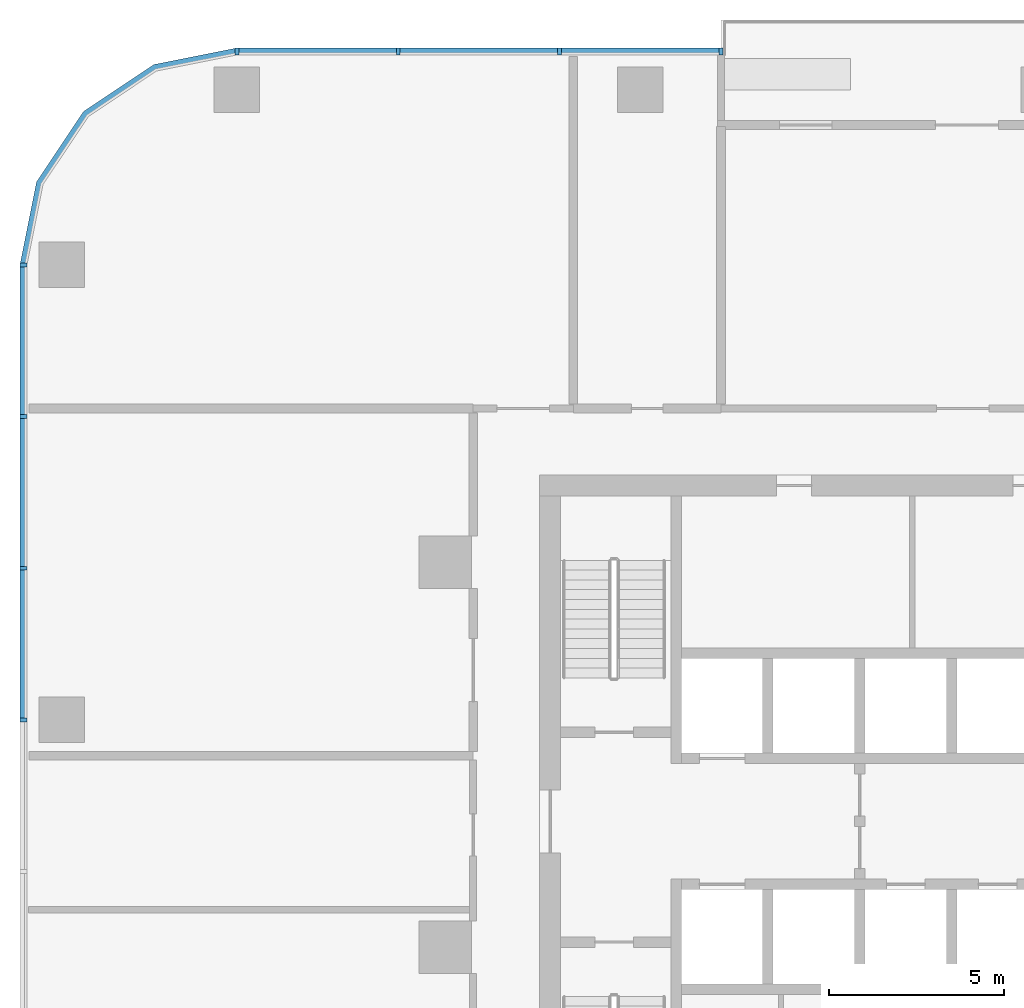
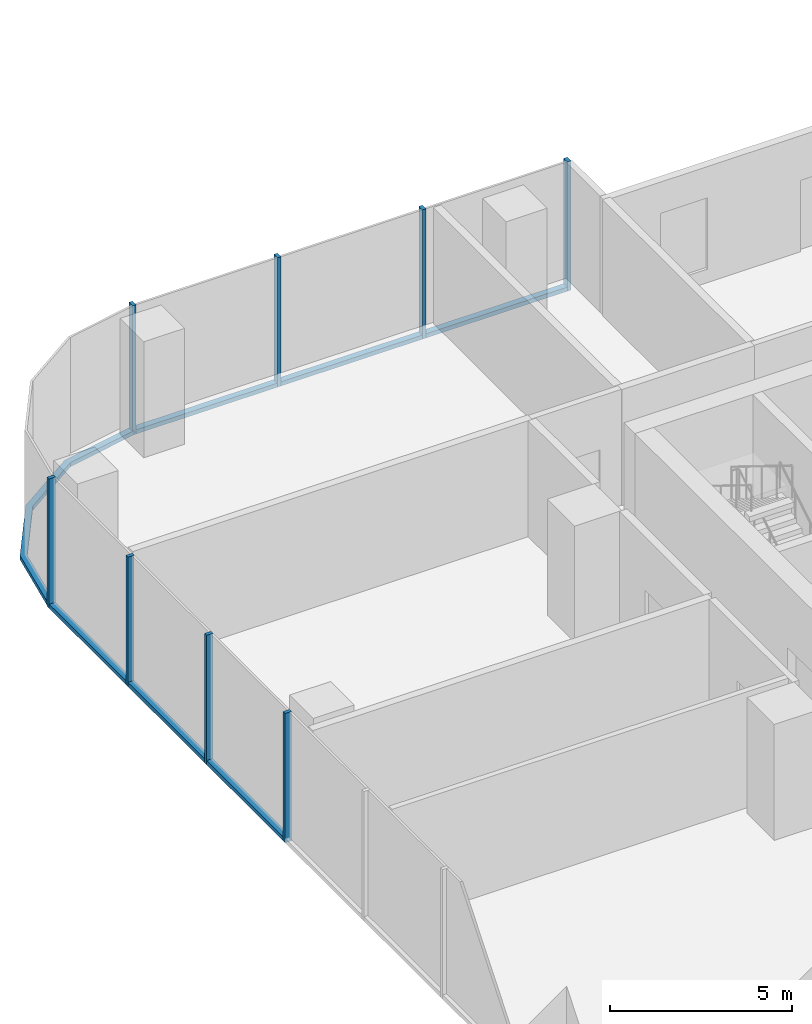
# One storey, part 4 of 14: 15 members, 3 elements without a shape of their own.
"""IFC4 building model written with IfcOpenShell, lengths in metres."""

from ifc_helpers import new_model, si_unit, direction, frame, origin, origin_2d, place, context, subcontext, project, spatial, polyline, rectangle, outline, extrude, material, material_profile, profile_set, type_object, element, aggregate, save


model = new_model("IFC4")

# Units and contexts
model_context = context("Model", 3, precision=1e-05, world=origin(), true_north=direction((0.0, 1.0)))
body_context = subcontext(model_context, "Body", "Model", "MODEL_VIEW")
ifc_project = project(units=[si_unit("LENGTHUNIT", "METRE"), si_unit("AREAUNIT", "SQUARE_METRE"), si_unit("VOLUMEUNIT", "CUBIC_METRE"), si_unit("PLANEANGLEUNIT", "RADIAN"), si_unit("MASSUNIT", "GRAM", prefix="KILO")], contexts=[model_context])

# Site, building, storey
site_placement = place(None, origin())
site = spatial("IfcSite", under=ifc_project, at=site_placement, CompositionType="ELEMENT")
building_placement = place(site_placement, origin())
building = spatial("IfcBuilding", under=site, at=building_placement, Name="Mopane Tessera Tower", CompositionType="ELEMENT")
storey_placement = place(building_placement, frame((0.0, 0.0, 144.10009765625)))
storey = spatial("IfcBuildingStorey", under=building, at=storey_placement, Name="L29", CompositionType="ELEMENT", Elevation=144.10009765625)

# Curtain wall, members
ifc_material_1 = material(Name="Aluminium frame", Category="aluminium")
curtain_wall_type = type_object("IfcCurtainWallType", Name="Lower tower unitised wall", PredefinedType="NOTDEFINED", material=ifc_material_1)
curtain_wall_1_placement = place(storey_placement, origin())
curtain_wall_1 = element("IfcCurtainWall", 1, at=curtain_wall_1_placement, inside=storey, type_object=curtain_wall_type, Name="e:cw:L29:N:7", PredefinedType="NOTDEFINED")
ifc_material_2 = material(Name="Aluminium frame", Category="aluminium")
ifc_material_profile_1 = material_profile(ifc_material_2, rectangle(XDim=0.110107421875, YDim=0.199951171875, at=origin_2d()))
ifc_profile_set_1 = profile_set([ifc_material_profile_1], Name="Aluminium frame")
member_type_1 = type_object("IfcMemberType", Name="Aluminium mullion 110 x 200", PredefinedType="MULLION", material=ifc_profile_set_1)
member_1_placement = place(storey_placement, frame((-9.219970703125, 25.60009765625, -0.4501953125), z_axis=(0.0, 0.0, 1.0), x_axis=(-1.0, 0.0, 0.0)))
member_1 = element("IfcMember", 2, at=member_1_placement, type_object=member_type_1, Name="e:cw:L29:N:7:mu7", PredefinedType="MULLION", context=body_context, shape_type="SweptSolid", body=[
    extrude(rectangle(XDim=0.110107421875, YDim=0.199951171875, at=origin_2d()), origin(), (0.0, 0.0, 1.0), 4.35009765625),
])
member_2_placement = place(storey_placement, frame((-13.830078125, 25.60009765625, -0.4501953125), z_axis=(0.0, 0.0, 1.0), x_axis=(-1.0, 0.0, 0.0)))
member_2 = element("IfcMember", 3, at=member_2_placement, type_object=member_type_1, Name="e:cw:L29:N:7:mu8", PredefinedType="MULLION", context=body_context, shape_type="SweptSolid", body=[
    extrude(rectangle(XDim=0.110107421875, YDim=0.199951171875, at=origin_2d()), origin(), (0.0, 0.0, 1.0), 4.35009765625),
])
member_3_placement = place(storey_placement, frame((-18.43994140625, 25.60009765625, -0.4501953125), z_axis=(0.0, 0.0, 1.0), x_axis=(-1.0, 0.0, 0.0)))
member_3 = element("IfcMember", 4, at=member_3_placement, type_object=member_type_1, Name="e:cw:L29:N:7:mu9", PredefinedType="MULLION", context=body_context, shape_type="SweptSolid", body=[
    extrude(rectangle(XDim=0.110107421875, YDim=0.199951171875, at=origin_2d()), origin(), (0.0, 0.0, 1.0), 4.35009765625),
])
member_4_placement = place(storey_placement, frame((-23.050048828125, 25.60009765625, -0.4501953125), z_axis=(0.0, 0.0, 1.0), x_axis=(-1.0, 0.0, 0.0)))
member_4 = element("IfcMember", 5, at=member_4_placement, type_object=member_type_1, Name="e:cw:L29:N:7:mu10", PredefinedType="MULLION", context=body_context, shape_type="SweptSolid", body=[
    extrude(rectangle(XDim=0.110107421875, YDim=0.199951171875, at=origin_2d()), origin(), (0.0, 0.0, 1.0), 4.35009765625),
])

curtain_wall_2_placement = place(storey_placement, origin())
curtain_wall_2 = element("IfcCurtainWall", 6, at=curtain_wall_2_placement, inside=storey, type_object=curtain_wall_type, Name="e:cw:L29:W:0", PredefinedType="NOTDEFINED")
member_5_placement = place(storey_placement, frame((-29.14990234375, 19.5, -0.4501953125), z_axis=(0.0, 0.0, 1.0), x_axis=(0.0, -1.0, 0.0)))
member_5 = element("IfcMember", 7, at=member_5_placement, type_object=member_type_1, Name="e:cw:L29:W:0:mu0", PredefinedType="MULLION", context=body_context, shape_type="SweptSolid", body=[
    extrude(rectangle(XDim=0.110107421875, YDim=0.199951171875, at=origin_2d()), origin(), (0.0, 0.0, 1.0), 4.35009765625),
])
member_6_placement = place(storey_placement, frame((-29.14990234375, 15.166748046875, -0.4501953125), z_axis=(0.0, 0.0, 1.0), x_axis=(0.0, -1.0, 0.0)))
member_6 = element("IfcMember", 8, at=member_6_placement, type_object=member_type_1, Name="e:cw:L29:W:0:mu1", PredefinedType="MULLION", context=body_context, shape_type="SweptSolid", body=[
    extrude(rectangle(XDim=0.110107421875, YDim=0.199951171875, at=origin_2d()), origin(), (0.0, 0.0, 1.0), 4.35009765625),
])
member_7_placement = place(storey_placement, frame((-29.14990234375, 10.833251953125, -0.4501953125), z_axis=(0.0, 0.0, 1.0), x_axis=(0.0, -1.0, 0.0)))
member_7 = element("IfcMember", 9, at=member_7_placement, type_object=member_type_1, Name="e:cw:L29:W:0:mu2", PredefinedType="MULLION", context=body_context, shape_type="SweptSolid", body=[
    extrude(rectangle(XDim=0.110107421875, YDim=0.199951171875, at=origin_2d()), origin(), (0.0, 0.0, 1.0), 4.35009765625),
])
member_8_placement = place(storey_placement, frame((-29.14990234375, 6.5, -0.4501953125), z_axis=(0.0, 0.0, 1.0), x_axis=(0.0, -1.0, 0.0)))
member_8 = element("IfcMember", 10, at=member_8_placement, type_object=member_type_1, Name="e:cw:L29:W:0:mu3", PredefinedType="MULLION", context=body_context, shape_type="SweptSolid", body=[
    extrude(rectangle(XDim=0.110107421875, YDim=0.199951171875, at=origin_2d()), origin(), (0.0, 0.0, 1.0), 4.35009765625),
])

# Member
ifc_material_3 = material(Name="Aluminium frame", Category="aluminium")
ifc_material_profile_2 = material_profile(ifc_material_3, rectangle(XDim=0.199951171875, YDim=0.139892578125, at=origin_2d()))
ifc_profile_set_2 = profile_set([ifc_material_profile_2], Name="Aluminium frame")
member_type_2 = type_object("IfcMemberType", Name="Aluminium transom 200 x 140", PredefinedType="USERDEFINED", material=ifc_profile_set_2)
member_9_placement = place(storey_placement, frame((-9.27490234375, 25.60009765625, -0.380126953125), z_axis=(-1.0, 0.0, 0.0), x_axis=(0.0, -1.0, 0.0)))
member_9 = element("IfcMember", 11, at=member_9_placement, type_object=member_type_2, Name="e:cw:L29:N:7:tr7", ObjectType="TRANSOM", PredefinedType="USERDEFINED", context=body_context, shape_type="SweptSolid", body=[
    extrude(rectangle(XDim=0.199951171875, YDim=0.139892578125, at=origin_2d()), origin(), (0.0, 0.0, 1.0), 4.5),
])

member_10_placement = place(storey_placement, frame((-13.885009765625, 25.60009765625, -0.380126953125), z_axis=(-1.0, 0.0, 0.0), x_axis=(0.0, -1.0, 0.0)))
member_10 = element("IfcMember", 12, at=member_10_placement, type_object=member_type_2, Name="e:cw:L29:N:7:tr8", ObjectType="TRANSOM", PredefinedType="USERDEFINED", context=body_context, shape_type="SweptSolid", body=[
    extrude(rectangle(XDim=0.199951171875, YDim=0.139892578125, at=origin_2d()), origin(), (0.0, 0.0, 1.0), 4.5),
])

member_11_placement = place(storey_placement, frame((-18.4951171875, 25.60009765625, -0.380126953125), z_axis=(-1.0, 0.0, 0.0), x_axis=(0.0, -1.0, 0.0)))
member_11 = element("IfcMember", 13, at=member_11_placement, type_object=member_type_2, Name="e:cw:L29:N:7:tr9", ObjectType="TRANSOM", PredefinedType="USERDEFINED", context=body_context, shape_type="SweptSolid", body=[
    extrude(rectangle(XDim=0.199951171875, YDim=0.139892578125, at=origin_2d()), origin(), (0.0, 0.0, 1.0), 4.5),
])

aggregate(curtain_wall_1, [member_1, member_2, member_3, member_4, member_9, member_10, member_11])

# Curtain wall, member
curtain_wall_3_placement = place(storey_placement, origin())
curtain_wall_3 = element("IfcCurtainWall", 14, at=curtain_wall_3_placement, inside=storey, type_object=curtain_wall_type, Name="e:cw:L29:CN", PredefinedType="NOTDEFINED")
member_12_placement = place(storey_placement, frame((0.0, 0.0, -0.4501953125)))
member_12 = element("IfcMember", 15, at=member_12_placement, type_object=member_type_2, Name="e:cw:L29:CN:tr", ObjectType="TRANSOM", PredefinedType="USERDEFINED", context=body_context, shape_type="SweptSolid", body=[
    extrude(outline(polyline([(-23.050048828125, 25.5), (-25.34619140625, 25.043212890625), (-27.292724609375, 23.74267578125), (-28.59326171875, 21.796142578125), (-29.050048828125, 19.5), (-29.25, 19.5), (-28.778076171875, 21.87255859375), (-27.43408203125, 23.884033203125), (-25.422607421875, 25.22802734375), (-23.050048828125, 25.699951171875), (-23.050048828125, 25.5)])), origin(), (0.0, 0.0, 1.0), 0.14013671875),
])
aggregate(curtain_wall_3, [member_12])

# Member
member_13_placement = place(storey_placement, frame((-29.14990234375, 19.445068359375, -0.380126953125), z_axis=(0.0, -1.0, 0.0), x_axis=(1.0, 0.0, 0.0)))
member_13 = element("IfcMember", 16, at=member_13_placement, type_object=member_type_2, Name="e:cw:L29:W:0:tr0", ObjectType="TRANSOM", PredefinedType="USERDEFINED", context=body_context, shape_type="SweptSolid", body=[
    extrude(rectangle(XDim=0.199951171875, YDim=0.139892578125, at=origin_2d()), origin(), (0.0, 0.0, 1.0), 4.223388671875),
])

member_14_placement = place(storey_placement, frame((-29.14990234375, 15.111572265625, -0.380126953125), z_axis=(0.0, -1.0, 0.0), x_axis=(1.0, 0.0, 0.0)))
member_14 = element("IfcMember", 17, at=member_14_placement, type_object=member_type_2, Name="e:cw:L29:W:0:tr1", ObjectType="TRANSOM", PredefinedType="USERDEFINED", context=body_context, shape_type="SweptSolid", body=[
    extrude(rectangle(XDim=0.199951171875, YDim=0.139892578125, at=origin_2d()), origin(), (0.0, 0.0, 1.0), 4.22314453125),
])

member_15_placement = place(storey_placement, frame((-29.14990234375, 10.7783203125, -0.380126953125), z_axis=(0.0, -1.0, 0.0), x_axis=(1.0, 0.0, 0.0)))
member_15 = element("IfcMember", 18, at=member_15_placement, type_object=member_type_2, Name="e:cw:L29:W:0:tr2", ObjectType="TRANSOM", PredefinedType="USERDEFINED", context=body_context, shape_type="SweptSolid", body=[
    extrude(rectangle(XDim=0.199951171875, YDim=0.139892578125, at=origin_2d()), origin(), (0.0, 0.0, 1.0), 4.223388671875),
])

aggregate(curtain_wall_2, [member_5, member_6, member_7, member_8, member_13, member_14, member_15])

save(model, "model.ifc")
